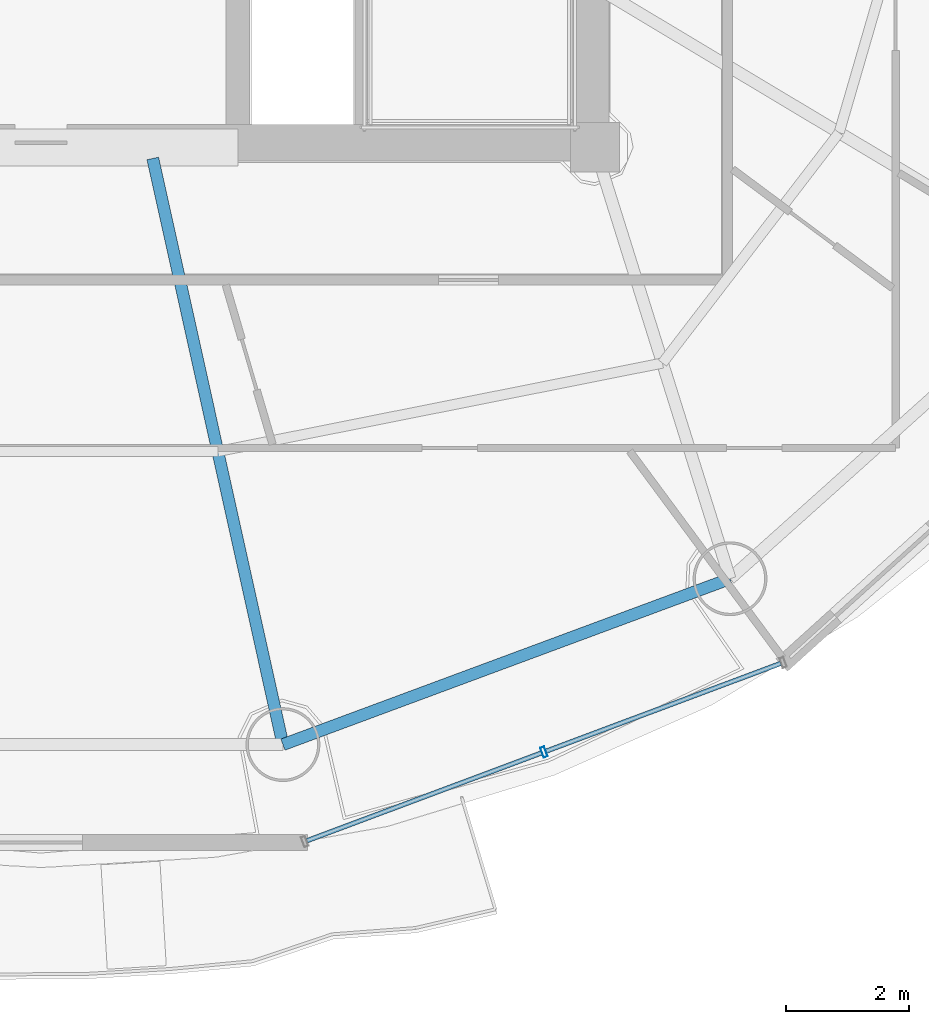
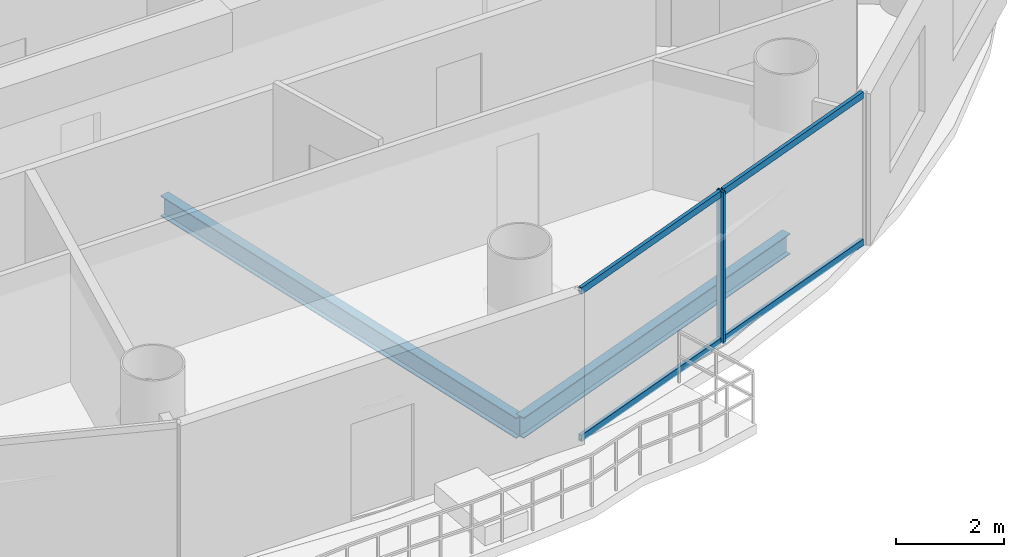
# One storey, part 6 of 26: 5 members, 2 beams, 1 element without a shape of its own.
"""IFC4 building model written with IfcOpenShell, lengths in metres."""

from ifc_helpers import new_model, si_unit, direction, frame, origin, origin_2d, place, context, subcontext, project, spatial, hollow_rectangle, i_section, extrude, source, transform, mapped, material, material_profile, profile_set, type_object, element, aggregate, save


model = new_model("IFC4")

# Units and contexts
model_context = context("Model", 3, precision=1e-05, world=origin(), true_north=direction((-0.2419218956, 0.970295726276)))
body_context = subcontext(model_context, "Body", "Model", "MODEL_VIEW")
ifc_project = project(units=[si_unit("LENGTHUNIT", "METRE"), si_unit("AREAUNIT", "SQUARE_METRE"), si_unit("VOLUMEUNIT", "CUBIC_METRE"), si_unit("PLANEANGLEUNIT", "RADIAN"), si_unit("MASSUNIT", "GRAM", prefix="KILO")], contexts=[model_context])

# Site, building, storey
site_placement = place(None, origin())
site = spatial("IfcSite", under=ifc_project, at=site_placement, CompositionType="ELEMENT")
building_placement = place(site_placement, origin())
building = spatial("IfcBuilding", under=site, at=building_placement, Name="Cobrevalo Terracotta Tower", CompositionType="ELEMENT")
storey_placement = place(building_placement, frame((0.0, 0.0, 228.199951171875)))
storey = spatial("IfcBuildingStorey", under=building, at=storey_placement, Name="L60", CompositionType="ELEMENT", Elevation=228.199951171875)

# Beams
ifc_material_1 = material(Name="Steel S355", Category="steel")
ifc_material_profile_1 = material_profile(ifc_material_1, i_section(OverallWidth=0.194091796875, OverallDepth=0.468994140625, WebThickness=0.011474609375, FlangeThickness=0.0205078125, at=origin_2d()), Name="W 460x106")
ifc_profile_set_1 = profile_set([ifc_material_profile_1], Name="Steel S355")
beam_type_1 = type_object("IfcBeamType", Name="Structural Beam W 460x106 (Steel S355)", PredefinedType="BEAM", material=ifc_profile_set_1)
beam_1_placement = place(storey_placement, frame((41.93115234375, 9.096923828125, -0.49951171875), z_axis=(-0.216782061165, 0.976220025382, 0.0), x_axis=(-0.976220025382, -0.216782061165, 0.0)))
element("IfcBeam", 1, at=beam_1_placement, inside=storey, type_object=beam_type_1, Name="L60 radial floor girder 13", PredefinedType="BEAM", context=body_context, shape_type="SweptSolid", body=[
    extrude(i_section(OverallWidth=0.194091796875, OverallDepth=0.468994140625, WebThickness=0.011474609375, FlangeThickness=0.0205078125, at=origin_2d()), origin(), (0.0, 0.0, 1.0), 9.755126953125),
])
ifc_material_profile_2 = material_profile(ifc_material_1, i_section(OverallWidth=0.194091796875, OverallDepth=0.468994140625, WebThickness=0.011474609375, FlangeThickness=0.0205078125, at=origin_2d()), Name="W 460x106")
ifc_profile_set_2 = profile_set([ifc_material_profile_2], Name="Steel S355")
beam_type_2 = type_object("IfcBeamType", Name="Structural Spandrel W 460x106 (Steel S355)", PredefinedType="SPANDREL", material=ifc_profile_set_2)
beam_2_placement = place(storey_placement, frame((41.93115234375, 9.096923828125, -0.49951171875), z_axis=(0.937545996665, 0.347861328892, 0.0), x_axis=(-0.347861328892, 0.937545996665, 0.0)))
element("IfcBeam", 2, at=beam_2_placement, inside=storey, type_object=beam_type_2, Name="L60 perimeter ring spandrel 13", PredefinedType="SPANDREL", context=body_context, shape_type="SweptSolid", body=[
    extrude(i_section(OverallWidth=0.194091796875, OverallDepth=0.468994140625, WebThickness=0.011474609375, FlangeThickness=0.0205078125, at=origin_2d()), origin(), (0.0, 0.0, 1.0), 7.74755859375),
])

# Curtain wall, members
ifc_material_2 = material(Name="Anodized aluminium", Category="aluminium")
curtain_wall_type = type_object("IfcCurtainWallType", Name="Mid-tower high-wind unitised curtain wall CW-U2", PredefinedType="NOTDEFINED", material=ifc_material_2)
curtain_wall_placement = place(storey_placement, origin())
curtain_wall = element("IfcCurtainWall", 3, at=curtain_wall_placement, inside=storey, type_object=curtain_wall_type, Name="L60 curtain wall CW-L60-S13", PredefinedType="NOTDEFINED")
ifc_material_profile_3 = material_profile(ifc_material_2, hollow_rectangle(XDim=0.074951171875, YDim=0.14990234375, WallThickness=0.00439453125, at=origin_2d()), Name="CWT 75x150")
ifc_profile_set_3 = profile_set([ifc_material_profile_3], Name="Anodized aluminium")
member_type_1 = type_object("IfcMemberType", Name="Tower unitised aluminium transom 75x150", PredefinedType="USERDEFINED", material=ifc_profile_set_3)
shared_shape_1 = source(origin(), body_context, "Body", "SweptSolid", [
    extrude(hollow_rectangle(XDim=0.074951171875, YDim=0.14990234375, WallThickness=0.00439453125, at=origin_2d()), origin(), (0.0, 0.0, 1.0), 4.069580078125),
])
member_1_placement = place(storey_placement, frame((46.20849609375, 8.990478515625, 0.050048828125), z_axis=(0.936548420649, 0.350538237259, 0.0), x_axis=(-0.350538237259, 0.936548420649, 0.0)))
member_1 = element("IfcMember", 4, at=member_1_placement, type_object=member_type_1, Name="CW-L60-S13 transom B02-T1", ObjectType="TRANSOM", PredefinedType="USERDEFINED", context=body_context, shape_type="MappedRepresentation", body=[
    mapped(shared_shape_1, transform((0.0, 0.0, 0.0), scale=1.0)),
])
member_2_placement = place(storey_placement, frame((46.20849609375, 8.990478515625, 3.385009765625), z_axis=(0.936548420649, 0.350538237259, 0.0), x_axis=(-0.350538237259, 0.936548420649, 0.0)))
member_2 = element("IfcMember", 5, at=member_2_placement, type_object=member_type_1, Name="CW-L60-S13 transom B02-T2", ObjectType="TRANSOM", PredefinedType="USERDEFINED", context=body_context, shape_type="MappedRepresentation", body=[
    mapped(shared_shape_1, transform((0.0, 0.0, 0.0), scale=1.0)),
])
shared_shape_2 = source(origin(), body_context, "Body", "SweptSolid", [
    extrude(hollow_rectangle(XDim=0.074951171875, YDim=0.14990234375, WallThickness=0.00439453125, at=origin_2d()), origin(), (0.0, 0.0, 1.0), 4.06982421875),
])
member_3_placement = place(storey_placement, frame((42.322021484375, 7.535888671875, 0.050048828125), z_axis=(0.936555791772, 0.350518542873, 0.0), x_axis=(-0.350518542873, 0.936555791772, 0.0)))
member_3 = element("IfcMember", 6, at=member_3_placement, type_object=member_type_1, Name="CW-L60-S13 transom B01-T1", ObjectType="TRANSOM", PredefinedType="USERDEFINED", context=body_context, shape_type="MappedRepresentation", body=[
    mapped(shared_shape_2, transform((0.0, 0.0, 0.0), scale=1.0)),
])
member_4_placement = place(storey_placement, frame((42.322021484375, 7.535888671875, 3.385009765625), z_axis=(0.936555791772, 0.350518542873, 0.0), x_axis=(-0.350518542873, 0.936555791772, 0.0)))
member_4 = element("IfcMember", 7, at=member_4_placement, type_object=member_type_1, Name="CW-L60-S13 transom B01-T2", ObjectType="TRANSOM", PredefinedType="USERDEFINED", context=body_context, shape_type="MappedRepresentation", body=[
    mapped(shared_shape_2, transform((0.0, 0.0, 0.0), scale=1.0)),
])
ifc_material_profile_4 = material_profile(ifc_material_2, hollow_rectangle(XDim=0.070068359375, YDim=0.169921875, WallThickness=0.00439453125, at=origin_2d()), Name="CWM 70x170")
ifc_profile_set_4 = profile_set([ifc_material_profile_4], Name="Anodized aluminium")
member_type_2 = type_object("IfcMemberType", Name="Upper tower unitised mullion 70x170", PredefinedType="MULLION", material=ifc_profile_set_4)
shared_shape_3 = source(origin(), body_context, "Body", "SweptSolid", [
    extrude(hollow_rectangle(XDim=0.070068359375, YDim=0.169921875, WallThickness=0.00439453125, at=origin_2d()), origin(), (0.0, 0.0, 1.0), 3.43505859375),
])
member_5_placement = place(storey_placement, frame((46.1708984375, 8.9765625, 0.0), z_axis=(0.0, 0.0, 1.0), x_axis=(0.936556004584, 0.350517974259, 0.0)))
member_5 = element("IfcMember", 8, at=member_5_placement, type_object=member_type_2, Name="CW-L60-S13 vertical mullion 02", PredefinedType="MULLION", context=body_context, shape_type="MappedRepresentation", body=[
    mapped(shared_shape_3, transform((0.0, 0.0, 0.0), scale=1.0)),
])
aggregate(curtain_wall, [member_5, member_3, member_4, member_1, member_2])

save(model, "model.ifc")
